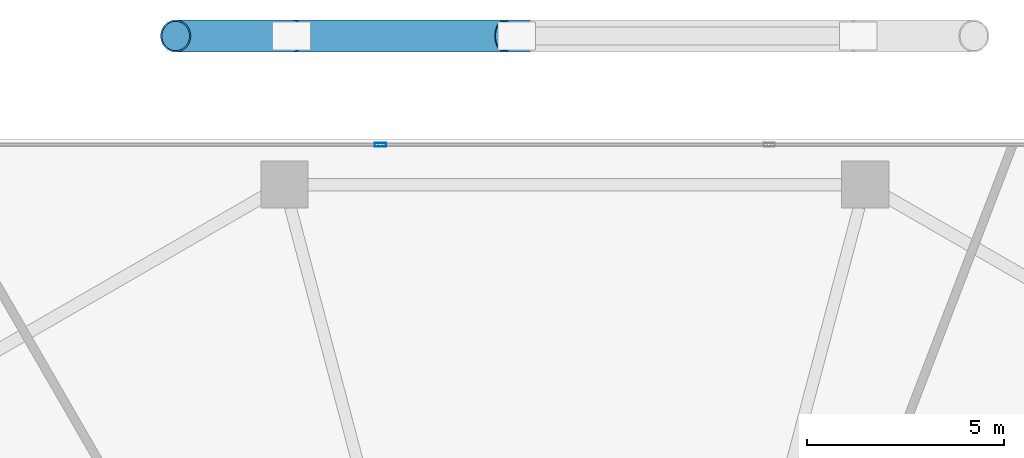
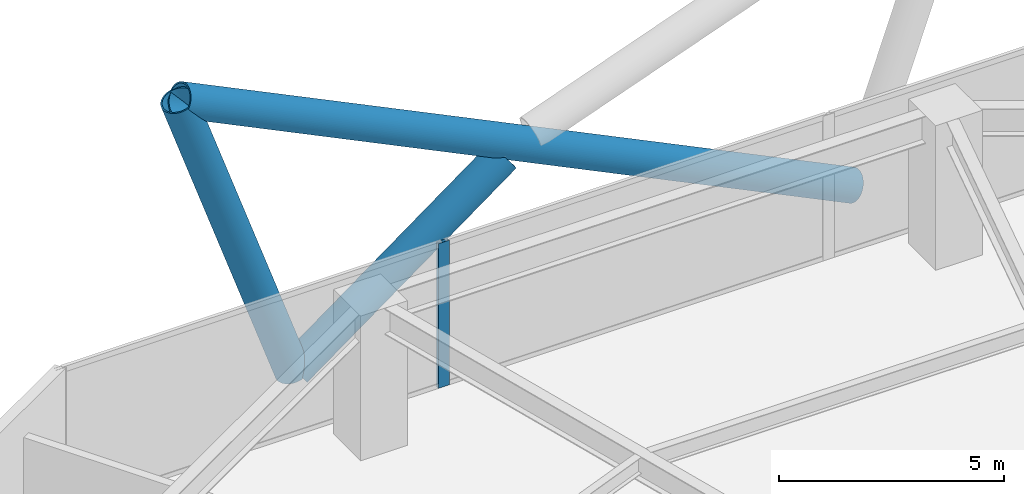
# One storey, part 17 of 28: 4 members, 1 element without a shape of its own.
"""IFC4 building model written with IfcOpenShell, lengths in metres."""

from ifc_helpers import new_model, si_unit, direction, frame, origin, origin_2d, place, context, subcontext, project, spatial, hollow_rectangle, hollow_circle, extrude, material, material_profile, profile_set, type_object, element, aggregate, save


model = new_model("IFC4")

# Units and contexts
model_context = context("Model", 3, precision=1e-05, world=origin(), true_north=direction((0.0, 1.0)))
body_context = subcontext(model_context, "Body", "Model", "MODEL_VIEW")
ifc_project = project(units=[si_unit("LENGTHUNIT", "METRE"), si_unit("AREAUNIT", "SQUARE_METRE"), si_unit("VOLUMEUNIT", "CUBIC_METRE"), si_unit("PLANEANGLEUNIT", "RADIAN"), si_unit("MASSUNIT", "GRAM", prefix="KILO")], contexts=[model_context])

# Site, building, storey
site_placement = place(None, origin())
site = spatial("IfcSite", under=ifc_project, at=site_placement, CompositionType="ELEMENT")
building_placement = place(site_placement, origin())
building = spatial("IfcBuilding", under=site, at=building_placement, Name="Zuhravey Tower", CompositionType="ELEMENT")
storey_placement = place(building_placement, frame((0.0, 0.0, 66.60009765625)))
storey = spatial("IfcBuildingStorey", under=building, at=storey_placement, Name="L16", CompositionType="ELEMENT", Elevation=66.60009765625)

# Curtain wall, member
ifc_material_1 = material(Name="Thermally broken anodised aluminium", Category="aluminium")
curtain_wall_type = type_object("IfcCurtainWallType", Name="School Low-E Unitised Curtain Wall CW1", PredefinedType="NOTDEFINED", material=ifc_material_1)
curtain_wall_placement = place(storey_placement, origin())
curtain_wall = element("IfcCurtainWall", 1, at=curtain_wall_placement, inside=storey, type_object=curtain_wall_type, Name="L16 CW1 CW-L16-F2-1", PredefinedType="NOTDEFINED")
ifc_material_2 = material(Name="Anodised aluminium", Category="aluminium")
ifc_material_profile_1 = material_profile(ifc_material_2, hollow_rectangle(XDim=0.090087890625, YDim=0.284912109375, WallThickness=0.0048828125, at=origin_2d()), Name="ALU-RHS-90x285x5")
ifc_profile_set_1 = profile_set([ifc_material_profile_1], Name="Anodised aluminium")
member_type_1 = type_object("IfcMemberType", Name="Curtain-Wall Mullion 90x180", PredefinedType="MULLION", material=ifc_profile_set_1)
member_1_placement = place(storey_placement, frame((31.06689453125, 60.95849609375, 0.0), z_axis=(0.0, 0.0, 1.0), x_axis=(0.0, 1.0, 0.0)))
member_1 = element("IfcMember", 2, at=member_1_placement, type_object=member_type_1, Name="CW1 mullion 2", PredefinedType="MULLION", context=body_context, shape_type="SweptSolid", body=[
    extrude(hollow_rectangle(XDim=0.090087890625, YDim=0.284912109375, WallThickness=0.0048828125, at=origin_2d()), origin(), (0.0, 0.0, 1.0), 3.919921875),
])
aggregate(curtain_wall, [member_1])

# Members
ifc_material_3 = material(Name="Steel SM460", Category="steel")
ifc_material_profile_2 = material_profile(ifc_material_3, hollow_circle(Radius=0.406494140625, WallThickness=0.035888671875, at=origin_2d()), Name="CHS-812.8x36")
ifc_profile_set_2 = profile_set([ifc_material_profile_2], Name="Steel SM460")
member_type_2 = type_object("IfcMemberType", Name="Exoskeleton Zone 1 Diagrid CHS813x36", PredefinedType="BRACE", material=ifc_profile_set_2)
member_2_placement = place(storey_placement, frame((43.1484375, 63.718505859375, -0.47216796875), z_axis=(-0.899869583891, 0.0, 0.436159067299), x_axis=(0.0, -1.0, 0.0)))
element("IfcMember", 3, at=member_2_placement, inside=storey, type_object=member_type_2, Name="L16 Face 2 Diagrid Brace 2", PredefinedType="BRACE", context=body_context, shape_type="SweptSolid", body=[
    extrude(hollow_circle(Radius=0.406494140625, WallThickness=0.035888671875, at=origin_2d()), origin(), (0.0, 0.0, 1.0), 19.157958984375),
])
member_3_placement = place(storey_placement, frame((28.79833984375, 63.718505859375, -0.47216796875), z_axis=(-0.330642732694, 0.0, 0.943755997764), x_axis=(0.0, -1.0, 0.0)))
element("IfcMember", 4, at=member_3_placement, inside=storey, type_object=member_type_2, Name="L16 Face 2 Diagrid Brace 4", PredefinedType="BRACE", context=body_context, shape_type="SweptSolid", body=[
    extrude(hollow_circle(Radius=0.406494140625, WallThickness=0.035888671875, at=origin_2d()), origin(), (0.0, 0.0, 1.0), 8.85400390625),
])
member_4_placement = place(storey_placement, frame((28.8466796875, 63.718505859375, -0.46435546875), z_axis=(0.806163372301, 0.0, 0.59169300922), x_axis=(0.0, 1.0, 0.0)))
element("IfcMember", 5, at=member_4_placement, inside=storey, type_object=member_type_2, Name="L16 Face 2 Split Diagrid Brace 3A", PredefinedType="BRACE", context=body_context, shape_type="SweptSolid", body=[
    extrude(hollow_circle(Radius=0.406494140625, WallThickness=0.035888671875, at=origin_2d()), origin(), (0.0, 0.0, 1.0), 6.6513671875),
])

save(model, "model.ifc")
